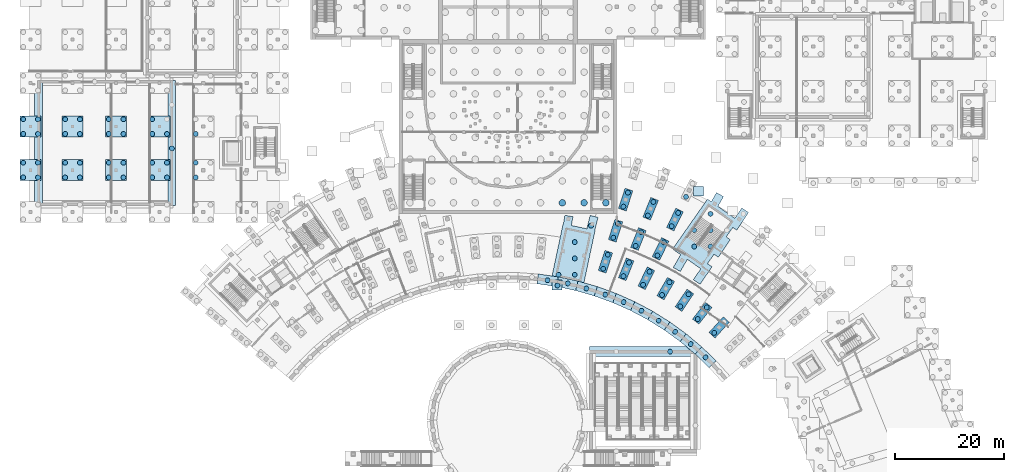
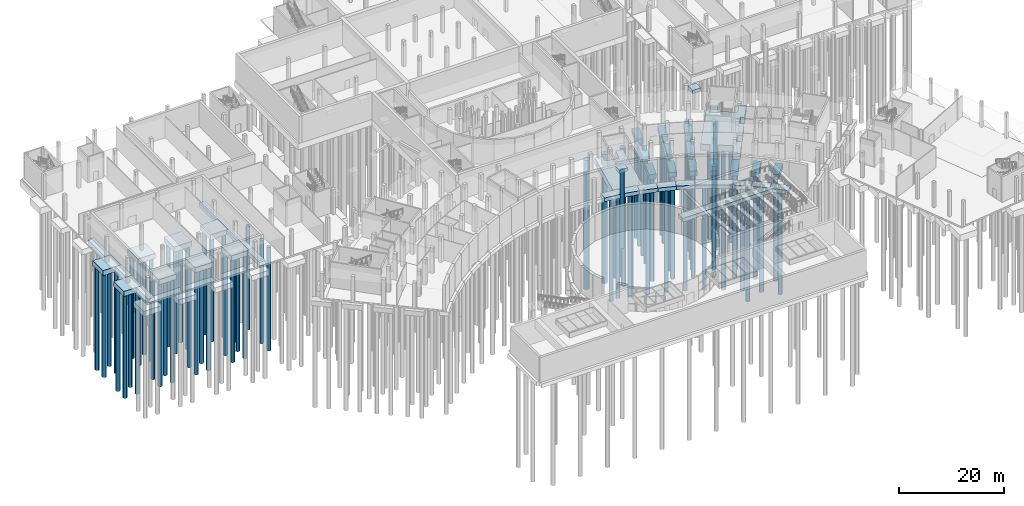
# One storey, part 4 of 66: 86 piles, 38 footings.
"""IFC4 building model written with IfcOpenShell, lengths in metres."""

from ifc_helpers import new_model, si_unit, direction, frame, origin, origin_2d, place, context, subcontext, project, spatial, polyline, circle, outline, extrude, material, material_profile, profile_set, type_object, element, save


model = new_model("IFC4")

# Units and contexts
model_context = context("Model", 3, precision=1e-05, world=origin(), true_north=direction((0.0, 1.0)))
body_context = subcontext(model_context, "Body", "Model", "MODEL_VIEW")
ifc_project = project(units=[si_unit("LENGTHUNIT", "METRE"), si_unit("AREAUNIT", "SQUARE_METRE"), si_unit("VOLUMEUNIT", "CUBIC_METRE"), si_unit("PLANEANGLEUNIT", "RADIAN"), si_unit("MASSUNIT", "GRAM", prefix="KILO")], contexts=[model_context])

# Site, building, storey
site_placement = place(None, origin())
site = spatial("IfcSite", under=ifc_project, at=site_placement, CompositionType="ELEMENT")
building_placement = place(site_placement, origin())
building = spatial("IfcBuilding", under=site, at=building_placement, Name="Lunette Opera House", CompositionType="ELEMENT")
storey_placement = place(building_placement, frame((0.0, 0.0, -6.0)))
storey = spatial("IfcBuildingStorey", under=building, at=storey_placement, Name="B1", CompositionType="ELEMENT", Elevation=-6.0)

# Piles
ifc_material_1 = material(Name="Concrete C40/50", Category="concrete")
ifc_material_profile_1 = material_profile(ifc_material_1, circle(Radius=0.60009765625, at=origin_2d()), Name="BORED PILE 1200")
ifc_profile_set_1 = profile_set([ifc_material_profile_1], Name="Concrete C40/50")
pile_type_1 = type_object("IfcPileType", Name="BORED PILE 1200", PredefinedType="BORED", material=ifc_profile_set_1)
for number, where, z_axis, x_axis, name in (
    (1, (106.0, 66.0, -1.800048828125), (0.0, 0.0, -1.0), (1.0, 0.0, 0.0), "pile-AU-R1-57"),
    (2, (110.0, 66.0, -1.800048828125), (0.0, 0.0, -1.0), (1.0, 0.0, 0.0), "pile-AU-R1-65"),
    (3, (114.0, 66.0, -1.800048828125), (0.0, 0.0, -1.0), (1.0, 0.0, 0.0), "pile-AU-R1-73"),
):
    element("IfcPile", number, at=place(storey_placement, frame(where, z_axis=z_axis, x_axis=x_axis)), inside=storey, type_object=pile_type_1, Name=name, PredefinedType="BORED", context=body_context, shape_type="SweptSolid", body=[
        extrude(circle(Radius=0.60009765625, at=origin_2d()), origin(), (0.0, 0.0, 1.0), 30.10009765625),
    ])
ifc_material_2 = material(Name="Concrete C40/50", Category="concrete")
ifc_material_profile_2 = material_profile(ifc_material_2, circle(Radius=0.449951171875, at=origin_2d()), Name="BORED PILE 900")
ifc_profile_set_2 = profile_set([ifc_material_profile_2], Name="Concrete C40/50")
pile_type_2 = type_object("IfcPileType", Name="BORED PILE 900", PredefinedType="BORED", material=ifc_profile_set_2)
for number, where, z_axis, x_axis, name in (
    (4, (113.506103515625, 53.876953125, -1.300048828125), (0.0, 0.0, -1.0), (1.0, 0.0, 0.0), "pile-FC-CAP014-A"),
    (5, (114.340087890625, 56.445068359375, -1.300048828125), (0.0, 0.0, -1.0), (1.0, 0.0, 0.0), "pile-FC-CAP014-B"),
    (6, (117.220947265625, 52.52490234375, -1.300048828125), (0.0, 0.0, -1.0), (1.0, 0.0, 0.0), "pile-FC-CAP015-A"),
    (7, (118.23291015625, 55.029052734375, -1.300048828125), (0.0, 0.0, -1.0), (1.0, 0.0, 0.0), "pile-FC-CAP015-B"),
    (8, (120.833984375, 50.9169921875, -1.300048828125), (0.0, 0.0, -1.0), (1.0, 0.0, 0.0), "pile-FC-CAP016-A"),
    (9, (122.01806640625, 53.343017578125, -1.300048828125), (0.0, 0.0, -1.0), (1.0, 0.0, 0.0), "pile-FC-CAP016-B"),
    (10, (124.324951171875, 49.06005859375, -1.300048828125), (0.0, 0.0, -1.0), (1.0, 0.0, 0.0), "pile-FC-CAP017-A"),
    (11, (125.675048828125, 51.39794921875, -1.300048828125), (0.0, 0.0, -1.0), (1.0, 0.0, 0.0), "pile-FC-CAP017-B"),
    (12, (127.677978515625, 46.965087890625, -1.300048828125), (0.0, 0.0, -1.0), (1.0, 0.0, 0.0), "pile-FC-CAP018-A"),
    (13, (129.18798828125, 49.202880859375, -1.300048828125), (0.0, 0.0, -1.0), (1.0, 0.0, 0.0), "pile-FC-CAP018-B"),
    (14, (130.876953125, 44.64111328125, -1.300048828125), (0.0, 0.0, -1.0), (1.0, 0.0, 0.0), "pile-FC-CAP019-A"),
    (15, (132.5390625, 46.76904296875, -1.300048828125), (0.0, 0.0, -1.0), (1.0, 0.0, 0.0), "pile-FC-CAP019-B"),
    (16, (133.906982421875, 42.09912109375, -1.300048828125), (0.0, 0.0, -1.0), (1.0, 0.0, 0.0), "pile-FC-CAP020-A"),
    (17, (115.360107421875, 59.583984375, -1.300048828125), (0.0, 0.0, -1.0), (1.0, 0.0, 0.0), "pile-FC-CAP027-A"),
    (18, (116.194091796875, 62.152099609375, -1.300048828125), (0.0, 0.0, -1.0), (1.0, 0.0, 0.0), "pile-FC-CAP027-B"),
    (19, (119.468994140625, 58.087890625, -1.300048828125), (0.0, 0.0, -1.0), (1.0, 0.0, 0.0), "pile-FC-CAP028-A"),
    (20, (120.48095703125, 60.592041015625, -1.300048828125), (0.0, 0.0, -1.0), (1.0, 0.0, 0.0), "pile-FC-CAP028-B"),
    (21, (123.464111328125, 56.31005859375, -1.300048828125), (0.0, 0.0, -1.0), (1.0, 0.0, 0.0), "pile-FC-CAP029-A"),
    (22, (124.64794921875, 58.736083984375, -1.300048828125), (0.0, 0.0, -1.0), (1.0, 0.0, 0.0), "pile-FC-CAP029-B"),
    (23, (117.214111328125, 65.2900390625, -1.300048828125), (0.0, 0.0, -1.0), (1.0, 0.0, 0.0), "pile-FC-CAP035-A"),
    (24, (118.048095703125, 67.85791015625, -1.300048828125), (0.0, 0.0, -1.0), (1.0, 0.0, 0.0), "pile-FC-CAP035-B"),
    (25, (121.716064453125, 63.65087890625, -1.300048828125), (0.0, 0.0, -1.0), (1.0, 0.0, 0.0), "pile-FC-CAP036-A"),
    (26, (122.72802734375, 66.155029296875, -1.300048828125), (0.0, 0.0, -1.0), (1.0, 0.0, 0.0), "pile-FC-CAP036-B"),
    (27, (126.093994140625, 61.702880859375, -1.300048828125), (0.0, 0.0, -1.0), (1.0, 0.0, 0.0), "pile-FC-CAP037-A"),
    (28, (127.278076171875, 64.12890625, -1.300048828125), (0.0, 0.0, -1.0), (1.0, 0.0, 0.0), "pile-FC-CAP037-B"),
    (29, (128.72412109375, 67.094970703125, -1.300048828125), (0.0, 0.0, -1.0), (1.0, 0.0, 0.0), "pile-FC-CAP046-A"),
    (30, (130.23193359375, 57.958984375, -1.699951171875), (0.0, 0.0, -1.0), (1.0, 0.0, 0.0), "pile-FC-RAFT02-01"),
    (31, (130.23193359375, 60.958984375, -1.699951171875), (0.0, 0.0, -1.0), (1.0, 0.0, 0.0), "pile-FC-RAFT02-02"),
    (32, (133.23193359375, 57.958984375, -1.699951171875), (0.0, 0.0, -1.0), (1.0, 0.0, 0.0), "pile-FC-RAFT02-03"),
    (33, (133.23193359375, 60.958984375, -1.699951171875), (0.0, 0.0, -1.0), (1.0, 0.0, 0.0), "pile-FC-RAFT02-04"),
    (34, (133.23193359375, 63.958984375, -1.699951171875), (0.0, 0.0, -1.0), (1.0, 0.0, 0.0), "pile-FC-RAFT02-05"),
    (35, (105.27392578125, 52.77099609375, -1.699951171875), (0.0, 0.0, -1.0), (1.0, 0.0, 0.0), "pile-FC-RAFT03-01"),
    (36, (108.27392578125, 52.77099609375, -1.699951171875), (0.0, 0.0, -1.0), (1.0, 0.0, 0.0), "pile-FC-RAFT03-02"),
    (37, (108.27392578125, 55.77099609375, -1.699951171875), (0.0, 0.0, -1.0), (1.0, 0.0, 0.0), "pile-FC-RAFT03-03"),
    (38, (108.27392578125, 58.77099609375, -1.699951171875), (0.0, 0.0, -1.0), (1.0, 0.0, 0.0), "pile-FC-RAFT03-04"),
    (39, (111.27392578125, 61.77099609375, -1.699951171875), (0.0, 0.0, -1.0), (1.0, 0.0, 0.0), "pile-FC-RAFT03-05"),
    (40, (103.27490234375, 51.764892578125, -1.10009765625), (0.0, 0.0, -1.0), (1.0, 0.0, 0.0), "pile-FC-SF15-A"),
    (41, (107.01708984375, 51.179931640625, -1.10009765625), (0.0, 0.0, -1.0), (1.0, 0.0, 0.0), "pile-FC-SF16-A"),
    (42, (110.407958984375, 50.248046875, -1.10009765625), (0.0, 0.0, -1.0), (1.0, 0.0, 0.0), "pile-FC-SF17-A"),
    (43, (113.8779296875, 49.12109375, -1.10009765625), (0.0, 0.0, -1.0), (1.0, 0.0, 0.0), "pile-FC-SF18-A"),
    (44, (117.260986328125, 47.75390625, -1.10009765625), (0.0, 0.0, -1.0), (1.0, 0.0, 0.0), "pile-FC-SF19-A"),
    (45, (120.541015625, 46.155029296875, -1.10009765625), (0.0, 0.0, -1.0), (1.0, 0.0, 0.0), "pile-FC-SF20-A"),
    (46, (123.700927734375, 44.3310546875, -1.10009765625), (0.0, 0.0, -1.0), (1.0, 0.0, 0.0), "pile-FC-SF21-A"),
    (47, (126.72607421875, 42.2900390625, -1.10009765625), (0.0, 0.0, -1.0), (1.0, 0.0, 0.0), "pile-FC-SF22-A"),
    (48, (129.60107421875, 40.0439453125, -1.10009765625), (0.0, 0.0, -1.0), (1.0, 0.0, 0.0), "pile-FC-SF23-A"),
    (49, (132.31201171875, 37.60205078125, -1.10009765625), (0.0, 0.0, -1.0), (1.0, 0.0, 0.0), "pile-FC-SF24-A"),
    (50, (6.949951171875, 70.64990234375, -1.39990234375), (0.0, 0.0, -1.0), (1.0, 0.0, 0.0), "pile-RW-CAP002-1"),
    (51, (9.64990234375, 70.64990234375, -1.39990234375), (0.0, 0.0, -1.0), (1.0, 0.0, 0.0), "pile-RW-CAP002-2"),
    (52, (6.949951171875, 73.35009765625, -1.39990234375), (0.0, 0.0, -1.0), (1.0, 0.0, 0.0), "pile-RW-CAP002-3"),
    (53, (9.64990234375, 73.35009765625, -1.39990234375), (0.0, 0.0, -1.0), (1.0, 0.0, 0.0), "pile-RW-CAP002-4"),
    (54, (6.949951171875, 78.64990234375, -1.39990234375), (0.0, 0.0, -1.0), (1.0, 0.0, 0.0), "pile-RW-CAP003-1"),
    (55, (9.64990234375, 78.64990234375, -1.39990234375), (0.0, 0.0, -1.0), (1.0, 0.0, 0.0), "pile-RW-CAP003-2"),
    (56, (6.949951171875, 81.35009765625, -1.39990234375), (0.0, 0.0, -1.0), (1.0, 0.0, 0.0), "pile-RW-CAP003-3"),
    (57, (9.64990234375, 81.35009765625, -1.39990234375), (0.0, 0.0, -1.0), (1.0, 0.0, 0.0), "pile-RW-CAP003-4"),
    (58, (14.64990234375, 70.64990234375, -1.39990234375), (0.0, 0.0, -1.0), (1.0, 0.0, 0.0), "pile-RW-CAP007-1"),
    (59, (17.35009765625, 70.64990234375, -1.39990234375), (0.0, 0.0, -1.0), (1.0, 0.0, 0.0), "pile-RW-CAP007-2"),
    (60, (14.64990234375, 73.35009765625, -1.39990234375), (0.0, 0.0, -1.0), (1.0, 0.0, 0.0), "pile-RW-CAP007-3"),
    (61, (17.35009765625, 73.35009765625, -1.39990234375), (0.0, 0.0, -1.0), (1.0, 0.0, 0.0), "pile-RW-CAP007-4"),
    (62, (14.64990234375, 78.64990234375, -1.39990234375), (0.0, 0.0, -1.0), (1.0, 0.0, 0.0), "pile-RW-CAP008-1"),
    (63, (17.35009765625, 78.64990234375, -1.39990234375), (0.0, 0.0, -1.0), (1.0, 0.0, 0.0), "pile-RW-CAP008-2"),
    (64, (14.64990234375, 81.35009765625, -1.39990234375), (0.0, 0.0, -1.0), (1.0, 0.0, 0.0), "pile-RW-CAP008-3"),
    (65, (17.35009765625, 81.35009765625, -1.39990234375), (0.0, 0.0, -1.0), (1.0, 0.0, 0.0), "pile-RW-CAP008-4"),
    (66, (22.64990234375, 70.64990234375, -1.39990234375), (0.0, 0.0, -1.0), (1.0, 0.0, 0.0), "pile-RW-CAP013-1"),
    (67, (25.35009765625, 70.64990234375, -1.39990234375), (0.0, 0.0, -1.0), (1.0, 0.0, 0.0), "pile-RW-CAP013-2"),
    (68, (22.64990234375, 73.35009765625, -1.39990234375), (0.0, 0.0, -1.0), (1.0, 0.0, 0.0), "pile-RW-CAP013-3"),
    (69, (25.35009765625, 73.35009765625, -1.39990234375), (0.0, 0.0, -1.0), (1.0, 0.0, 0.0), "pile-RW-CAP013-4"),
    (70, (22.64990234375, 78.64990234375, -1.39990234375), (0.0, 0.0, -1.0), (1.0, 0.0, 0.0), "pile-RW-CAP014-1"),
    (71, (25.35009765625, 78.64990234375, -1.39990234375), (0.0, 0.0, -1.0), (1.0, 0.0, 0.0), "pile-RW-CAP014-2"),
    (72, (22.64990234375, 81.35009765625, -1.39990234375), (0.0, 0.0, -1.0), (1.0, 0.0, 0.0), "pile-RW-CAP014-3"),
    (73, (25.35009765625, 81.35009765625, -1.39990234375), (0.0, 0.0, -1.0), (1.0, 0.0, 0.0), "pile-RW-CAP014-4"),
    (74, (30.64990234375, 70.64990234375, -1.39990234375), (0.0, 0.0, -1.0), (1.0, 0.0, 0.0), "pile-RW-CAP019-1"),
    (75, (33.35009765625, 70.64990234375, -1.39990234375), (0.0, 0.0, -1.0), (1.0, 0.0, 0.0), "pile-RW-CAP019-2"),
    (76, (30.64990234375, 73.35009765625, -1.39990234375), (0.0, 0.0, -1.0), (1.0, 0.0, 0.0), "pile-RW-CAP019-3"),
    (77, (33.35009765625, 73.35009765625, -1.39990234375), (0.0, 0.0, -1.0), (1.0, 0.0, 0.0), "pile-RW-CAP019-4"),
    (78, (30.64990234375, 78.64990234375, -1.39990234375), (0.0, 0.0, -1.0), (1.0, 0.0, 0.0), "pile-RW-CAP020-1"),
    (79, (33.35009765625, 78.64990234375, -1.39990234375), (0.0, 0.0, -1.0), (1.0, 0.0, 0.0), "pile-RW-CAP020-2"),
    (80, (30.64990234375, 81.35009765625, -1.39990234375), (0.0, 0.0, -1.0), (1.0, 0.0, 0.0), "pile-RW-CAP020-3"),
    (81, (38.64990234375, 70.64990234375, -1.39990234375), (0.0, 0.0, -1.0), (1.0, 0.0, 0.0), "pile-RW-CAP026-1"),
    (82, (38.64990234375, 73.35009765625, -1.39990234375), (0.0, 0.0, -1.0), (1.0, 0.0, 0.0), "pile-RW-CAP026-3"),
    (83, (38.64990234375, 78.64990234375, -1.39990234375), (0.0, 0.0, -1.0), (1.0, 0.0, 0.0), "pile-RW-CAP027-1"),
    (84, (34.25, 76.0, -1.10009765625), (0.0, 0.0, -1.0), (1.0, 0.0, 0.0), "pile-RW-SFHWE-1"),
):
    element("IfcPile", number, at=place(storey_placement, frame(where, z_axis=z_axis, x_axis=x_axis)), inside=storey, type_object=pile_type_2, Name=name, PredefinedType="BORED", context=body_context, shape_type="SweptSolid", body=[
        extrude(circle(Radius=0.449951171875, at=origin_2d()), origin(), (0.0, 0.0, 1.0), 24.10009765625),
    ])
pile_1_placement = place(storey_placement, frame((105.10009765625, 50.800048828125, 5.199951171875), z_axis=(0.0, 0.0, -1.0), x_axis=(1.0, 0.0, 0.0)))
element("IfcPile", 85, at=pile_1_placement, inside=storey, type_object=pile_type_2, Name="pile-EC-PAD8-1", PredefinedType="BORED", context=body_context, shape_type="SweptSolid", body=[
    extrude(circle(Radius=0.449951171875, at=origin_2d()), origin(), (0.0, 0.0, 1.0), 18.10009765625),
])
pile_2_placement = place(storey_placement, frame((125.800048828125, 38.64990234375, -1.10009765625), z_axis=(0.0, 0.0, -1.0), x_axis=(1.0, 0.0, 0.0)))
element("IfcPile", 86, at=pile_2_placement, inside=storey, type_object=pile_type_2, Name="pile-SF-SFCRPN-2", PredefinedType="BORED", context=body_context, shape_type="SweptSolid", body=[
    extrude(circle(Radius=0.449951171875, at=origin_2d()), origin(), (0.0, 0.0, 1.0), 24.10009765625),
])

# Footings
ifc_material_3 = material(Name="Concrete C40/50", Category="concrete")
footing_type_1 = type_object("IfcFootingType", Name="CORE RAFT 1500", PredefinedType="PILE_CAP", material=ifc_material_3)
footing_1_placement = place(storey_placement, frame((0.0, 0.0, -1.800048828125)))
element("IfcFooting", 87, at=footing_1_placement, inside=storey, type_object=footing_type_1, Name="ftg-FC-RAFT02", PredefinedType="PILE_CAP", context=body_context, shape_type="SweptSolid", body=[
    extrude(outline(polyline([(133.5, 54.2548828125), (132.672119140625, 54.81396484375), (133.876953125, 56.534912109375), (134.675048828125, 55.9970703125), (136.85595703125, 59.22998046875), (136.114990234375, 59.72998046875), (137.319091796875, 61.450927734375), (138.030029296875, 60.970947265625), (140.2109375, 64.2041015625), (138.968017578125, 65.04296875), (137.695068359375, 63.156982421875), (134.5859375, 65.333984375), (135.625, 67.132080078125), (134.324951171875, 67.882080078125), (133.35302734375, 66.197021484375), (132.674072265625, 66.673095703125), (126.25, 57.498046875), (127.73095703125, 56.4609375), (126.375, 54.112060546875), (127.675048828125, 53.362060546875), (128.965087890625, 55.596923828125), (131.430908203125, 53.8701171875), (130.075927734375, 51.861083984375), (131.319091796875, 51.02197265625), (133.5, 54.2548828125)])), origin(), (0.0, 0.0, 1.0), 1.5),
])
footing_2_placement = place(storey_placement, frame((0.0, 0.0, -1.800048828125)))
element("IfcFooting", 88, at=footing_2_placement, inside=storey, type_object=footing_type_1, Name="ftg-FC-RAFT03", PredefinedType="PILE_CAP", context=body_context, shape_type="SweptSolid", body=[
    extrude(outline(polyline([(106.14306640625, 62.14990234375), (104.0009765625, 52.073974609375), (109.8701171875, 50.825927734375), (112.011962890625, 60.902099609375), (111.9599609375, 60.9130859375), (112.56201171875, 63.323974609375), (111.10595703125, 63.68701171875), (110.491943359375, 61.22509765625), (107.6630859375, 61.826904296875), (107.947021484375, 63.43896484375), (106.469970703125, 63.699951171875), (106.195068359375, 62.138916015625), (106.14306640625, 62.14990234375)])), origin(), (0.0, 0.0, 1.0), 1.5),
])
ifc_material_4 = material(Name="Concrete C35/45", Category="concrete")
footing_type_2 = type_object("IfcFootingType", Name="PAD FOOTING 1800X1800", PredefinedType="PAD_FOOTING", material=ifc_material_4)
footing_3_placement = place(storey_placement, frame((0.0, 0.0, 4.14990234375)))
element("IfcFooting", 89, at=footing_3_placement, inside=storey, type_object=footing_type_2, Name="ftg-PP-PAD-PC-EI03", PredefinedType="PAD_FOOTING", context=body_context, shape_type="SweptSolid", body=[
    extrude(outline(polyline([(131.930908203125, 67.220947265625), (131.930908203125, 69.02099609375), (130.131103515625, 69.02099609375), (130.131103515625, 67.220947265625), (131.930908203125, 67.220947265625)])), origin(), (0.0, 0.0, 1.0), 0.800048828125),
])
footing_4_placement = place(storey_placement, frame((0.0, 0.0, 5.10009765625)))
element("IfcFooting", 90, at=footing_4_placement, inside=storey, type_object=footing_type_2, Name="ftg-EC-PAD8", PredefinedType="PAD_FOOTING", context=body_context, shape_type="SweptSolid", body=[
    extrude(outline(polyline([(105.89990234375, 50.0), (105.89990234375, 51.800048828125), (104.10009765625, 51.800048828125), (104.10009765625, 50.0), (105.89990234375, 50.0)])), origin(), (0.0, 0.0, 1.0), 0.7998046875),
])
ifc_material_5 = material(Name="Concrete C40/50", Category="concrete")
footing_type_3 = type_object("IfcFootingType", Name="PILE CAP 3900X1500", PredefinedType="PILE_CAP", material=ifc_material_5)
footing_5_placement = place(storey_placement, frame((0.0, 0.0, -1.39990234375)))
element("IfcFooting", 91, at=footing_5_placement, inside=storey, type_object=footing_type_3, Name="ftg-FC-CAP014", PredefinedType="PILE_CAP", context=body_context, shape_type="SweptSolid", body=[
    extrude(outline(polyline([(112.60693359375, 53.5380859375), (114.033935546875, 53.074951171875), (115.239013671875, 56.783935546875), (113.81201171875, 57.2470703125), (112.60693359375, 53.5380859375)])), origin(), (0.0, 0.0, 1.0), 1.099853515625),
])
footing_6_placement = place(storey_placement, frame((0.0, 0.0, -1.39990234375)))
element("IfcFooting", 92, at=footing_6_placement, inside=storey, type_object=footing_type_3, Name="ftg-FC-CAP015", PredefinedType="PILE_CAP", context=body_context, shape_type="SweptSolid", body=[
    extrude(outline(polyline([(116.301025390625, 52.25), (117.69189453125, 51.68798828125), (119.153076171875, 55.303955078125), (117.761962890625, 55.865966796875), (116.301025390625, 52.25)])), origin(), (0.0, 0.0, 1.0), 1.099853515625),
])
footing_7_placement = place(storey_placement, frame((0.0, 0.0, -1.39990234375)))
element("IfcFooting", 93, at=footing_7_placement, inside=storey, type_object=footing_type_3, Name="ftg-FC-CAP016", PredefinedType="PILE_CAP", context=body_context, shape_type="SweptSolid", body=[
    extrude(outline(polyline([(119.89697265625, 50.7060546875), (121.2451171875, 50.049072265625), (122.955078125, 53.553955078125), (121.60693359375, 54.2109375), (119.89697265625, 50.7060546875)])), origin(), (0.0, 0.0, 1.0), 1.099853515625),
])
footing_8_placement = place(storey_placement, frame((0.0, 0.0, -1.39990234375)))
element("IfcFooting", 94, at=footing_8_placement, inside=storey, type_object=footing_type_3, Name="ftg-FC-CAP017", PredefinedType="PILE_CAP", context=body_context, shape_type="SweptSolid", body=[
    extrude(outline(polyline([(123.375, 48.9150390625), (124.675048828125, 48.1650390625), (126.625, 51.54296875), (125.324951171875, 52.29296875), (123.375, 48.9150390625)])), origin(), (0.0, 0.0, 1.0), 1.099853515625),
])
footing_9_placement = place(storey_placement, frame((0.0, 0.0, -1.39990234375)))
element("IfcFooting", 95, at=footing_9_placement, inside=storey, type_object=footing_type_3, Name="ftg-FC-CAP018", PredefinedType="PILE_CAP", context=body_context, shape_type="SweptSolid", body=[
    extrude(outline(polyline([(126.720947265625, 46.886962890625), (127.964111328125, 46.048095703125), (130.14501953125, 49.281005859375), (128.902099609375, 50.1201171875), (126.720947265625, 46.886962890625)])), origin(), (0.0, 0.0, 1.0), 1.099853515625),
])
footing_10_placement = place(storey_placement, frame((0.0, 0.0, -1.39990234375)))
element("IfcFooting", 96, at=footing_10_placement, inside=storey, type_object=footing_type_3, Name="ftg-FC-CAP019", PredefinedType="PILE_CAP", context=body_context, shape_type="SweptSolid", body=[
    extrude(outline(polyline([(129.916015625, 44.6298828125), (131.097900390625, 43.70703125), (133.5, 46.780029296875), (132.318115234375, 47.702880859375), (129.916015625, 44.6298828125)])), origin(), (0.0, 0.0, 1.0), 1.099853515625),
])
footing_11_placement = place(storey_placement, frame((0.0, 0.0, -1.39990234375)))
element("IfcFooting", 97, at=footing_11_placement, inside=storey, type_object=footing_type_3, Name="ftg-FC-CAP020", PredefinedType="PILE_CAP", context=body_context, shape_type="SweptSolid", body=[
    extrude(outline(polyline([(132.947998046875, 42.155029296875), (134.06298828125, 41.15087890625), (136.672119140625, 44.049072265625), (135.556884765625, 45.052978515625), (132.947998046875, 42.155029296875)])), origin(), (0.0, 0.0, 1.0), 1.099853515625),
])
footing_12_placement = place(storey_placement, frame((0.0, 0.0, -1.39990234375)))
element("IfcFooting", 98, at=footing_12_placement, inside=storey, type_object=footing_type_3, Name="ftg-FC-CAP027", PredefinedType="PILE_CAP", context=body_context, shape_type="SweptSolid", body=[
    extrude(outline(polyline([(114.4609375, 59.2451171875), (115.887939453125, 58.781982421875), (117.093017578125, 62.490966796875), (115.666015625, 62.9541015625), (114.4609375, 59.2451171875)])), origin(), (0.0, 0.0, 1.0), 1.099853515625),
])
footing_13_placement = place(storey_placement, frame((0.0, 0.0, -1.39990234375)))
element("IfcFooting", 99, at=footing_13_placement, inside=storey, type_object=footing_type_3, Name="ftg-FC-CAP028", PredefinedType="PILE_CAP", context=body_context, shape_type="SweptSolid", body=[
    extrude(outline(polyline([(118.549072265625, 57.81298828125), (119.93994140625, 57.2509765625), (121.40087890625, 60.866943359375), (120.010009765625, 61.428955078125), (118.549072265625, 57.81298828125)])), origin(), (0.0, 0.0, 1.0), 1.099853515625),
])
footing_14_placement = place(storey_placement, frame((0.0, 0.0, -1.39990234375)))
element("IfcFooting", 100, at=footing_14_placement, inside=storey, type_object=footing_type_3, Name="ftg-FC-CAP029", PredefinedType="PILE_CAP", context=body_context, shape_type="SweptSolid", body=[
    extrude(outline(polyline([(122.527099609375, 56.09912109375), (123.875, 55.44189453125), (125.5849609375, 58.947021484375), (124.237060546875, 59.60400390625), (122.527099609375, 56.09912109375)])), origin(), (0.0, 0.0, 1.0), 1.099853515625),
])
footing_15_placement = place(storey_placement, frame((0.0, 0.0, -1.39990234375)))
element("IfcFooting", 101, at=footing_15_placement, inside=storey, type_object=footing_type_3, Name="ftg-FC-CAP035", PredefinedType="PILE_CAP", context=body_context, shape_type="SweptSolid", body=[
    extrude(outline(polyline([(116.31494140625, 64.950927734375), (117.741943359375, 64.488037109375), (118.947021484375, 68.197021484375), (117.52001953125, 68.659912109375), (116.31494140625, 64.950927734375)])), origin(), (0.0, 0.0, 1.0), 1.099853515625),
])
footing_16_placement = place(storey_placement, frame((0.0, 0.0, -1.39990234375)))
element("IfcFooting", 102, at=footing_16_placement, inside=storey, type_object=footing_type_3, Name="ftg-FC-CAP036", PredefinedType="PILE_CAP", context=body_context, shape_type="SweptSolid", body=[
    extrude(outline(polyline([(120.7958984375, 63.3759765625), (122.18701171875, 62.81396484375), (123.64794921875, 66.429931640625), (122.257080078125, 66.991943359375), (120.7958984375, 63.3759765625)])), origin(), (0.0, 0.0, 1.0), 1.099853515625),
])
footing_17_placement = place(storey_placement, frame((0.0, 0.0, -1.39990234375)))
element("IfcFooting", 103, at=footing_17_placement, inside=storey, type_object=footing_type_3, Name="ftg-FC-CAP037", PredefinedType="PILE_CAP", context=body_context, shape_type="SweptSolid", body=[
    extrude(outline(polyline([(125.156982421875, 61.491943359375), (126.5048828125, 60.8349609375), (128.215087890625, 64.340087890625), (126.866943359375, 64.9970703125), (125.156982421875, 61.491943359375)])), origin(), (0.0, 0.0, 1.0), 1.099853515625),
])
ifc_material_6 = material(Name="Concrete C35/45", Category="concrete")
footing_type_4 = type_object("IfcFootingType", Name="PILE CAP 3900X3900", PredefinedType="PILE_CAP", material=ifc_material_6)
footing_18_placement = place(storey_placement, frame((0.0, 0.0, -1.5)))
element("IfcFooting", 104, at=footing_18_placement, inside=storey, type_object=footing_type_4, Name="ftg-RW-CAP002", PredefinedType="PILE_CAP", context=body_context, shape_type="SweptSolid", body=[
    extrude(outline(polyline([(10.25, 70.050048828125), (10.25, 73.949951171875), (6.35009765625, 73.949951171875), (6.35009765625, 70.050048828125), (10.25, 70.050048828125)])), origin(), (0.0, 0.0, 1.0), 1.199951171875),
])
footing_19_placement = place(storey_placement, frame((0.0, 0.0, -1.5)))
element("IfcFooting", 105, at=footing_19_placement, inside=storey, type_object=footing_type_4, Name="ftg-RW-CAP003", PredefinedType="PILE_CAP", context=body_context, shape_type="SweptSolid", body=[
    extrude(outline(polyline([(10.25, 78.050048828125), (10.25, 81.949951171875), (6.35009765625, 81.949951171875), (6.35009765625, 78.050048828125), (10.25, 78.050048828125)])), origin(), (0.0, 0.0, 1.0), 1.199951171875),
])
footing_20_placement = place(storey_placement, frame((0.0, 0.0, -1.5)))
element("IfcFooting", 106, at=footing_20_placement, inside=storey, type_object=footing_type_4, Name="ftg-RW-CAP007", PredefinedType="PILE_CAP", context=body_context, shape_type="SweptSolid", body=[
    extrude(outline(polyline([(17.949951171875, 70.050048828125), (17.949951171875, 73.949951171875), (14.050048828125, 73.949951171875), (14.050048828125, 70.050048828125), (17.949951171875, 70.050048828125)])), origin(), (0.0, 0.0, 1.0), 1.199951171875),
])
footing_21_placement = place(storey_placement, frame((0.0, 0.0, -1.5)))
element("IfcFooting", 107, at=footing_21_placement, inside=storey, type_object=footing_type_4, Name="ftg-RW-CAP008", PredefinedType="PILE_CAP", context=body_context, shape_type="SweptSolid", body=[
    extrude(outline(polyline([(17.949951171875, 78.050048828125), (17.949951171875, 81.949951171875), (14.050048828125, 81.949951171875), (14.050048828125, 78.050048828125), (17.949951171875, 78.050048828125)])), origin(), (0.0, 0.0, 1.0), 1.199951171875),
])
footing_22_placement = place(storey_placement, frame((0.0, 0.0, -1.5)))
element("IfcFooting", 108, at=footing_22_placement, inside=storey, type_object=footing_type_4, Name="ftg-RW-CAP013", PredefinedType="PILE_CAP", context=body_context, shape_type="SweptSolid", body=[
    extrude(outline(polyline([(25.949951171875, 70.050048828125), (25.949951171875, 73.949951171875), (22.050048828125, 73.949951171875), (22.050048828125, 70.050048828125), (25.949951171875, 70.050048828125)])), origin(), (0.0, 0.0, 1.0), 1.199951171875),
])
footing_23_placement = place(storey_placement, frame((0.0, 0.0, -1.5)))
element("IfcFooting", 109, at=footing_23_placement, inside=storey, type_object=footing_type_4, Name="ftg-RW-CAP014", PredefinedType="PILE_CAP", context=body_context, shape_type="SweptSolid", body=[
    extrude(outline(polyline([(25.949951171875, 78.050048828125), (25.949951171875, 81.949951171875), (22.050048828125, 81.949951171875), (22.050048828125, 78.050048828125), (25.949951171875, 78.050048828125)])), origin(), (0.0, 0.0, 1.0), 1.199951171875),
])
footing_24_placement = place(storey_placement, frame((0.0, 0.0, -1.5)))
element("IfcFooting", 110, at=footing_24_placement, inside=storey, type_object=footing_type_4, Name="ftg-RW-CAP019", PredefinedType="PILE_CAP", context=body_context, shape_type="SweptSolid", body=[
    extrude(outline(polyline([(33.949951171875, 70.050048828125), (33.949951171875, 73.949951171875), (30.050048828125, 73.949951171875), (30.050048828125, 70.050048828125), (33.949951171875, 70.050048828125)])), origin(), (0.0, 0.0, 1.0), 1.199951171875),
])
footing_25_placement = place(storey_placement, frame((0.0, 0.0, -1.5)))
element("IfcFooting", 111, at=footing_25_placement, inside=storey, type_object=footing_type_4, Name="ftg-RW-CAP020", PredefinedType="PILE_CAP", context=body_context, shape_type="SweptSolid", body=[
    extrude(outline(polyline([(33.949951171875, 78.050048828125), (33.949951171875, 81.949951171875), (30.050048828125, 81.949951171875), (30.050048828125, 78.050048828125), (33.949951171875, 78.050048828125)])), origin(), (0.0, 0.0, 1.0), 1.199951171875),
])
ifc_material_7 = material(Name="Concrete C35/45", Category="concrete")
footing_type_5 = type_object("IfcFootingType", Name="STRIP FOOTING 1800X900", PredefinedType="STRIP_FOOTING", material=ifc_material_7)
footing_26_placement = place(storey_placement, frame((0.0, 0.0, -1.199951171875)))
element("IfcFooting", 112, at=footing_26_placement, inside=storey, type_object=footing_type_5, Name="ftg-FC-SF15", PredefinedType="STRIP_FOOTING", context=body_context, shape_type="SweptSolid", body=[
    extrude(outline(polyline([(101.373046875, 51.117919921875), (104.926025390625, 50.618896484375), (105.238037109375, 52.39208984375), (101.56103515625, 52.908935546875), (101.373046875, 51.117919921875)])), origin(), (0.0, 0.0, 1.0), 0.89990234375),
])
footing_27_placement = place(storey_placement, frame((0.0, 0.0, -1.199951171875)))
element("IfcFooting", 113, at=footing_27_placement, inside=storey, type_object=footing_type_5, Name="ftg-FC-SF16", PredefinedType="STRIP_FOOTING", context=body_context, shape_type="SweptSolid", body=[
    extrude(outline(polyline([(104.926025390625, 50.618896484375), (108.43505859375, 49.873046875), (108.8701171875, 51.6201171875), (105.238037109375, 52.39208984375), (104.926025390625, 50.618896484375)])), origin(), (0.0, 0.0, 1.0), 0.89990234375),
])
footing_28_placement = place(storey_placement, frame((0.0, 0.0, -1.199951171875)))
element("IfcFooting", 114, at=footing_28_placement, inside=storey, type_object=footing_type_5, Name="ftg-FC-SF17", PredefinedType="STRIP_FOOTING", context=body_context, shape_type="SweptSolid", body=[
    extrude(outline(polyline([(108.43505859375, 49.873046875), (111.883056640625, 48.884033203125), (112.43994140625, 50.595947265625), (108.8701171875, 51.6201171875), (108.43505859375, 49.873046875)])), origin(), (0.0, 0.0, 1.0), 0.89990234375),
])
footing_29_placement = place(storey_placement, frame((0.0, 0.0, -1.199951171875)))
element("IfcFooting", 115, at=footing_29_placement, inside=storey, type_object=footing_type_5, Name="ftg-FC-SF18", PredefinedType="STRIP_FOOTING", context=body_context, shape_type="SweptSolid", body=[
    extrude(outline(polyline([(111.883056640625, 48.884033203125), (115.2548828125, 47.656982421875), (115.928955078125, 49.325927734375), (112.43994140625, 50.595947265625), (111.883056640625, 48.884033203125)])), origin(), (0.0, 0.0, 1.0), 0.89990234375),
])
footing_30_placement = place(storey_placement, frame((0.0, 0.0, -1.199951171875)))
element("IfcFooting", 116, at=footing_30_placement, inside=storey, type_object=footing_type_5, Name="ftg-FC-SF19", PredefinedType="STRIP_FOOTING", context=body_context, shape_type="SweptSolid", body=[
    extrude(outline(polyline([(115.2548828125, 47.656982421875), (118.531982421875, 46.197998046875), (119.321044921875, 47.81591796875), (115.928955078125, 49.325927734375), (115.2548828125, 47.656982421875)])), origin(), (0.0, 0.0, 1.0), 0.89990234375),
])
footing_31_placement = place(storey_placement, frame((0.0, 0.0, -1.199951171875)))
element("IfcFooting", 117, at=footing_31_placement, inside=storey, type_object=footing_type_5, Name="ftg-FC-SF20", PredefinedType="STRIP_FOOTING", context=body_context, shape_type="SweptSolid", body=[
    extrude(outline(polyline([(118.531982421875, 46.197998046875), (121.699951171875, 44.513916015625), (122.60009765625, 46.072998046875), (119.321044921875, 47.81591796875), (118.531982421875, 46.197998046875)])), origin(), (0.0, 0.0, 1.0), 0.89990234375),
])
footing_32_placement = place(storey_placement, frame((0.0, 0.0, -1.199951171875)))
element("IfcFooting", 118, at=footing_32_placement, inside=storey, type_object=footing_type_5, Name="ftg-FC-SF21", PredefinedType="STRIP_FOOTING", context=body_context, shape_type="SweptSolid", body=[
    extrude(outline(polyline([(121.699951171875, 44.513916015625), (124.742919921875, 42.613037109375), (125.7490234375, 44.10498046875), (122.60009765625, 46.072998046875), (121.699951171875, 44.513916015625)])), origin(), (0.0, 0.0, 1.0), 0.89990234375),
])
footing_33_placement = place(storey_placement, frame((0.0, 0.0, -1.199951171875)))
element("IfcFooting", 119, at=footing_33_placement, inside=storey, type_object=footing_type_5, Name="ftg-FC-SF22", PredefinedType="STRIP_FOOTING", context=body_context, shape_type="SweptSolid", body=[
    extrude(outline(polyline([(124.742919921875, 42.613037109375), (127.64501953125, 40.50390625), (128.7529296875, 41.922119140625), (125.7490234375, 44.10498046875), (124.742919921875, 42.613037109375)])), origin(), (0.0, 0.0, 1.0), 0.89990234375),
])
footing_34_placement = place(storey_placement, frame((0.0, 0.0, -1.199951171875)))
element("IfcFooting", 120, at=footing_34_placement, inside=storey, type_object=footing_type_5, Name="ftg-FC-SF23", PredefinedType="STRIP_FOOTING", context=body_context, shape_type="SweptSolid", body=[
    extrude(outline(polyline([(127.64501953125, 40.50390625), (130.39306640625, 38.197998046875), (131.597900390625, 39.534912109375), (128.7529296875, 41.922119140625), (127.64501953125, 40.50390625)])), origin(), (0.0, 0.0, 1.0), 0.89990234375),
])
footing_35_placement = place(storey_placement, frame((0.0, 0.0, -1.199951171875)))
element("IfcFooting", 121, at=footing_35_placement, inside=storey, type_object=footing_type_5, Name="ftg-FC-SF24", PredefinedType="STRIP_FOOTING", context=body_context, shape_type="SweptSolid", body=[
    extrude(outline(polyline([(130.39306640625, 38.197998046875), (132.97412109375, 35.705078125), (134.26904296875, 36.9560546875), (131.597900390625, 39.534912109375), (130.39306640625, 38.197998046875)])), origin(), (0.0, 0.0, 1.0), 0.89990234375),
])
footing_36_placement = place(storey_placement, frame((0.0, 0.0, -1.199951171875)))
element("IfcFooting", 122, at=footing_36_placement, inside=storey, type_object=footing_type_5, Name="ftg-RW-SFHWW", PredefinedType="STRIP_FOOTING", context=body_context, shape_type="SweptSolid", body=[
    extrude(outline(polyline([(9.050048828125, 65.5), (10.449951171875, 65.5), (10.449951171875, 88.5), (9.050048828125, 88.5), (9.050048828125, 65.5)])), origin(), (0.0, 0.0, 1.0), 0.89990234375),
])
footing_37_placement = place(storey_placement, frame((0.0, 0.0, -1.199951171875)))
element("IfcFooting", 123, at=footing_37_placement, inside=storey, type_object=footing_type_5, Name="ftg-RW-SFHWE", PredefinedType="STRIP_FOOTING", context=body_context, shape_type="SweptSolid", body=[
    extrude(outline(polyline([(33.550048828125, 65.5), (34.949951171875, 65.5), (34.949951171875, 88.5), (33.550048828125, 88.5), (33.550048828125, 65.5)])), origin(), (0.0, 0.0, 1.0), 0.89990234375),
])
footing_38_placement = place(storey_placement, frame((0.0, 0.0, -1.199951171875)))
element("IfcFooting", 124, at=footing_38_placement, inside=storey, type_object=footing_type_5, Name="ftg-SF-SFCRPN", PredefinedType="STRIP_FOOTING", context=body_context, shape_type="SweptSolid", body=[
    extrude(outline(polyline([(110.949951171875, 39.550048828125), (110.949951171875, 37.75), (130.75, 37.75), (130.75, 39.550048828125), (110.949951171875, 39.550048828125)])), origin(), (0.0, 0.0, 1.0), 0.89990234375),
])

save(model, "model.ifc")
